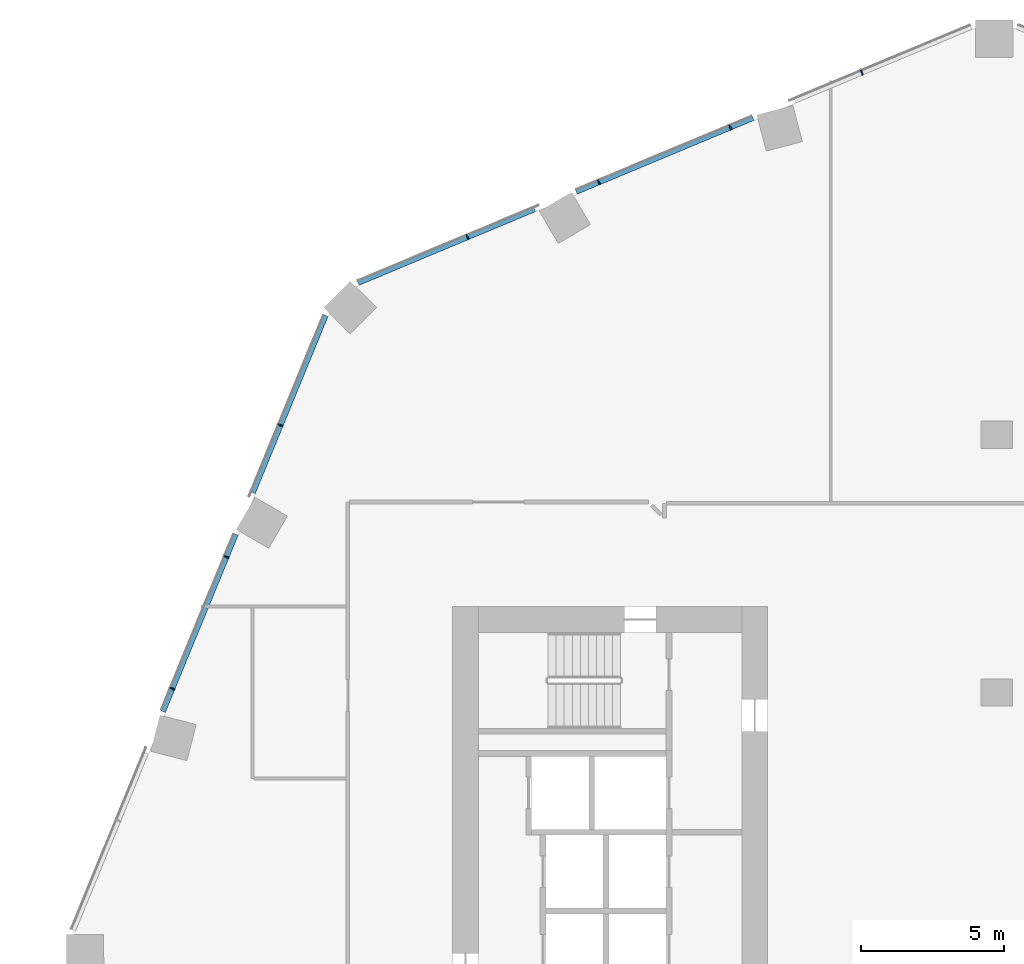
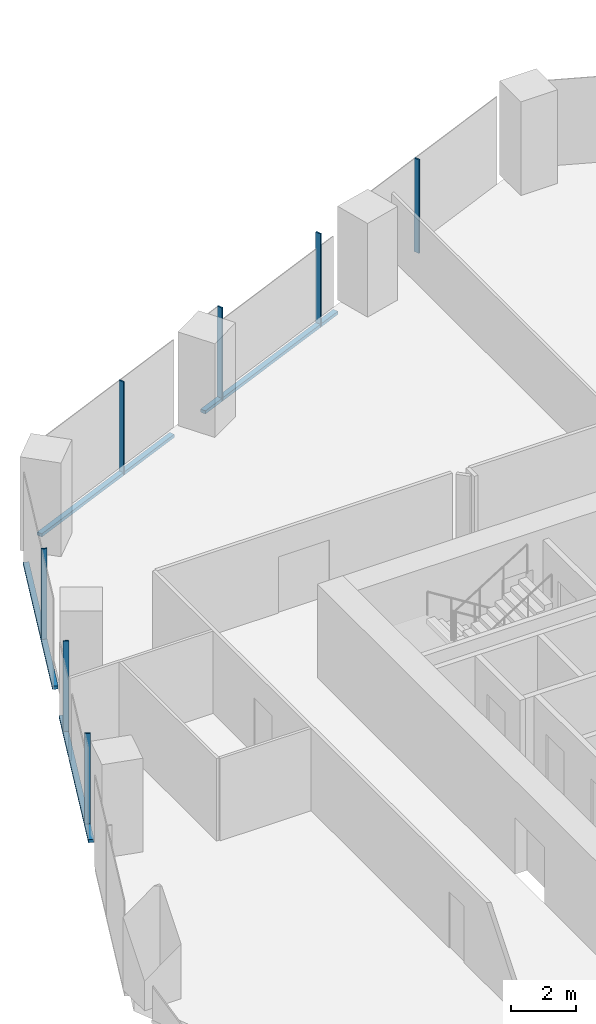
# One storey, part 12 of 35: 11 members, 2 elements without a shape of their own.
"""IFC4 building model written with IfcOpenShell, lengths in metres."""

from ifc_helpers import new_model, si_unit, direction, frame, origin, origin_2d, place, context, subcontext, project, spatial, rectangle, extrude, material, material_profile, profile_set, type_object, element, aggregate, save


model = new_model("IFC4")

# Units and contexts
model_context = context("Model", 3, precision=1e-05, world=origin(), true_north=direction((0.0, 1.0)))
body_context = subcontext(model_context, "Body", "Model", "MODEL_VIEW")
ifc_project = project(units=[si_unit("LENGTHUNIT", "METRE"), si_unit("AREAUNIT", "SQUARE_METRE"), si_unit("VOLUMEUNIT", "CUBIC_METRE"), si_unit("PLANEANGLEUNIT", "RADIAN"), si_unit("MASSUNIT", "GRAM", prefix="KILO")], contexts=[model_context])

# Site, building, storey
site_placement = place(None, origin())
site = spatial("IfcSite", under=ifc_project, at=site_placement, CompositionType="ELEMENT")
building_placement = place(site_placement, origin())
building = spatial("IfcBuilding", under=site, at=building_placement, Name="Orlundy Tower", CompositionType="ELEMENT")
storey_placement = place(building_placement, frame((0.0, 0.0, 116.199951171875)))
storey = spatial("IfcBuildingStorey", under=building, at=storey_placement, Name="L29", CompositionType="ELEMENT", Elevation=116.199951171875)

# Curtain wall, members
ifc_material_1 = material(Name="Aluminium bronze anodised", Category="aluminium")
curtain_wall_type = type_object("IfcCurtainWallType", Name="CW1 wall", PredefinedType="NOTDEFINED", material=ifc_material_1)
curtain_wall_1_placement = place(storey_placement, origin())
curtain_wall_1 = element("IfcCurtainWall", 1, at=curtain_wall_1_placement, inside=storey, type_object=curtain_wall_type, Name="CW1 run 014", PredefinedType="NOTDEFINED")
ifc_material_2 = material(Name="Aluminium bronze anodised", Category="aluminium")
ifc_material_profile_1 = material_profile(ifc_material_2, rectangle(XDim=0.179931640625, YDim=0.050048828125, at=origin_2d()), Name="CW1 mullion 50x180")
ifc_profile_set_1 = profile_set([ifc_material_profile_1], Name="Aluminium bronze anodised")
member_type_1 = type_object("IfcMemberType", Name="CW1 mullion 50x180", PredefinedType="MULLION", material=ifc_profile_set_1)
member_1_placement = place(storey_placement, frame((-28.777587890625, 9.135498046875, -0.39990234375), z_axis=(0.0, 0.0, 1.0), x_axis=(-0.924984462277, 0.380004927003, 0.0)))
member_1 = element("IfcMember", 2, at=member_1_placement, type_object=member_type_1, Name="CW1 mullion 36", PredefinedType="MULLION", context=body_context, shape_type="SweptSolid", body=[
    extrude(rectangle(XDim=0.179931640625, YDim=0.050048828125, at=origin_2d()), origin(), (0.0, 0.0, 1.0), 3.5),
])
member_2_placement = place(storey_placement, frame((-26.888916015625, 13.73291015625, -0.39990234375), z_axis=(0.0, 0.0, 1.0), x_axis=(-0.924984462277, 0.380004927003, 0.0)))
member_2 = element("IfcMember", 3, at=member_2_placement, type_object=member_type_1, Name="CW1 mullion 37", PredefinedType="MULLION", context=body_context, shape_type="SweptSolid", body=[
    extrude(rectangle(XDim=0.179931640625, YDim=0.050048828125, at=origin_2d()), origin(), (0.0, 0.0, 1.0), 3.5),
])
member_3_placement = place(storey_placement, frame((-25.0, 18.33056640625, -0.39990234375), z_axis=(0.0, 0.0, 1.0), x_axis=(-0.924984462277, 0.380004927003, 0.0)))
member_3 = element("IfcMember", 4, at=member_3_placement, type_object=member_type_1, Name="CW1 mullion 38", PredefinedType="MULLION", context=body_context, shape_type="SweptSolid", body=[
    extrude(rectangle(XDim=0.179931640625, YDim=0.050048828125, at=origin_2d()), origin(), (0.0, 0.0, 1.0), 3.5),
])

curtain_wall_2_placement = place(storey_placement, origin())
curtain_wall_2 = element("IfcCurtainWall", 5, at=curtain_wall_2_placement, inside=storey, type_object=curtain_wall_type, Name="CW1 run 015", PredefinedType="NOTDEFINED")
member_4_placement = place(storey_placement, frame((-18.475830078125, 24.892578125, -0.39990234375), z_axis=(0.0, 0.0, 1.0), x_axis=(-0.385375204433, 0.922759964351, 0.0)))
member_4 = element("IfcMember", 6, at=member_4_placement, type_object=member_type_1, Name="CW1 mullion 40", PredefinedType="MULLION", context=body_context, shape_type="SweptSolid", body=[
    extrude(rectangle(XDim=0.179931640625, YDim=0.050048828125, at=origin_2d()), origin(), (0.0, 0.0, 1.0), 3.5),
])
member_5_placement = place(storey_placement, frame((-13.88916015625, 26.808349609375, -0.39990234375), z_axis=(0.0, 0.0, 1.0), x_axis=(-0.385375204433, 0.922759964351, 0.0)))
member_5 = element("IfcMember", 7, at=member_5_placement, type_object=member_type_1, Name="CW1 mullion 41", PredefinedType="MULLION", context=body_context, shape_type="SweptSolid", body=[
    extrude(rectangle(XDim=0.179931640625, YDim=0.050048828125, at=origin_2d()), origin(), (0.0, 0.0, 1.0), 3.5),
])
member_6_placement = place(storey_placement, frame((-9.30224609375, 28.723876953125, -0.39990234375), z_axis=(0.0, 0.0, 1.0), x_axis=(-0.385375204433, 0.922759964351, 0.0)))
member_6 = element("IfcMember", 8, at=member_6_placement, type_object=member_type_1, Name="CW1 mullion 42", PredefinedType="MULLION", context=body_context, shape_type="SweptSolid", body=[
    extrude(rectangle(XDim=0.179931640625, YDim=0.050048828125, at=origin_2d()), origin(), (0.0, 0.0, 1.0), 3.5),
])
member_7_placement = place(storey_placement, frame((-4.715576171875, 30.639404296875, -0.39990234375), z_axis=(0.0, 0.0, 1.0), x_axis=(-0.385375204433, 0.922759964351, 0.0)))
member_7 = element("IfcMember", 9, at=member_7_placement, type_object=member_type_1, Name="CW1 mullion 43", PredefinedType="MULLION", context=body_context, shape_type="SweptSolid", body=[
    extrude(rectangle(XDim=0.179931640625, YDim=0.050048828125, at=origin_2d()), origin(), (0.0, 0.0, 1.0), 3.5),
])

# Member
ifc_material_3 = material(Name="Aluminium bronze anodised", Category="aluminium")
ifc_material_profile_2 = material_profile(ifc_material_3, rectangle(XDim=0.179931640625, YDim=0.1201171875, at=origin_2d()), Name="CW1 transom 180x120")
ifc_profile_set_2 = profile_set([ifc_material_profile_2], Name="Aluminium bronze anodised")
member_type_2 = type_object("IfcMemberType", Name="CW1 transom 180x120", PredefinedType="USERDEFINED", material=ifc_profile_set_2)
member_8_placement = place(storey_placement, frame((-29.105224609375, 8.338134765625, -0.33984375), z_axis=(0.380001321927, 0.924985943317, 0.0), x_axis=(-0.924985943317, 0.380001321927, 0.0)))
member_8 = element("IfcMember", 10, at=member_8_placement, type_object=member_type_2, Name="CW1 transom", ObjectType="TRANSOM", PredefinedType="USERDEFINED", context=body_context, shape_type="SweptSolid", body=[
    extrude(rectangle(XDim=0.179931640625, YDim=0.1201171875, at=origin_2d()), origin(), (0.0, 0.0, 1.0), 6.694580078125),
])

member_9_placement = place(storey_placement, frame((-25.9677734375, 15.974853515625, -0.33984375), z_axis=(0.380002508853, 0.924985455705, 0.0), x_axis=(-0.924985455705, 0.380002508853, 0.0)))
member_9 = element("IfcMember", 11, at=member_9_placement, type_object=member_type_2, Name="CW1 transom", ObjectType="TRANSOM", PredefinedType="USERDEFINED", context=body_context, shape_type="SweptSolid", body=[
    extrude(rectangle(XDim=0.179931640625, YDim=0.1201171875, at=origin_2d()), origin(), (0.0, 0.0, 1.0), 6.688720703125),
])

aggregate(curtain_wall_1, [member_1, member_2, member_3, member_8, member_9])

member_10_placement = place(storey_placement, frame((-22.2978515625, 23.29638671875, -0.33984375), z_axis=(0.922756794444, 0.385382794514, 0.0), x_axis=(-0.385382794514, 0.922756794444, 0.0)))
member_10 = element("IfcMember", 12, at=member_10_placement, type_object=member_type_2, Name="CW1 transom", ObjectType="TRANSOM", PredefinedType="USERDEFINED", context=body_context, shape_type="SweptSolid", body=[
    extrude(rectangle(XDim=0.179931640625, YDim=0.1201171875, at=origin_2d()), origin(), (0.0, 0.0, 1.0), 6.685302734375),
])

member_11_placement = place(storey_placement, frame((-14.6845703125, 26.47607421875, -0.33984375), z_axis=(0.922764802462, 0.385363619635, 0.0), x_axis=(-0.385363619635, 0.922764802462, 0.0)))
member_11 = element("IfcMember", 13, at=member_11_placement, type_object=member_type_2, Name="CW1 transom", ObjectType="TRANSOM", PredefinedType="USERDEFINED", context=body_context, shape_type="SweptSolid", body=[
    extrude(rectangle(XDim=0.179931640625, YDim=0.1201171875, at=origin_2d()), origin(), (0.0, 0.0, 1.0), 6.694580078125),
])

aggregate(curtain_wall_2, [member_4, member_5, member_6, member_7, member_10, member_11])

save(model, "model.ifc")
